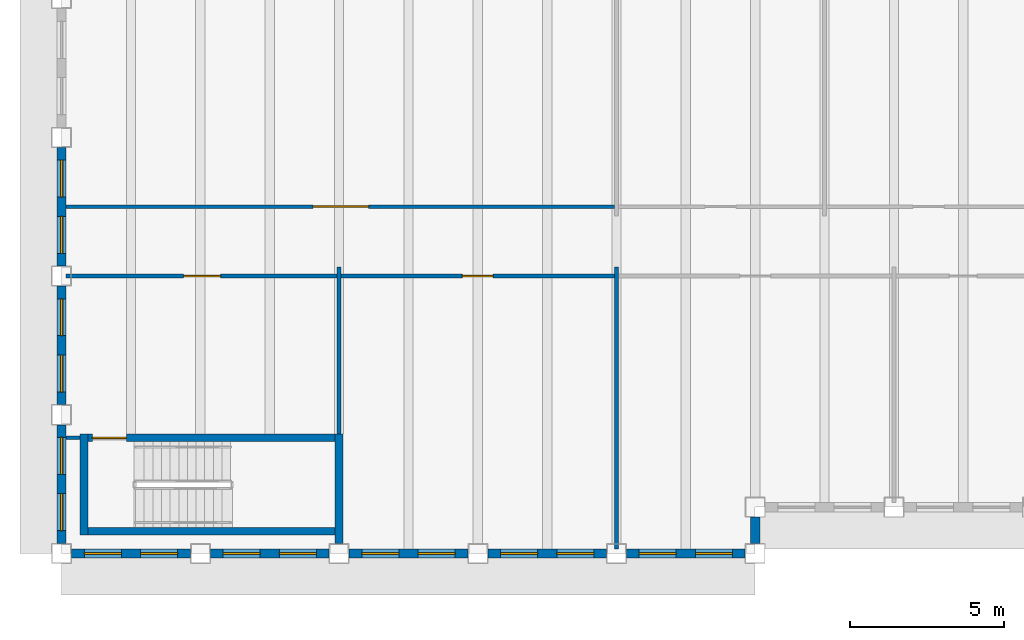
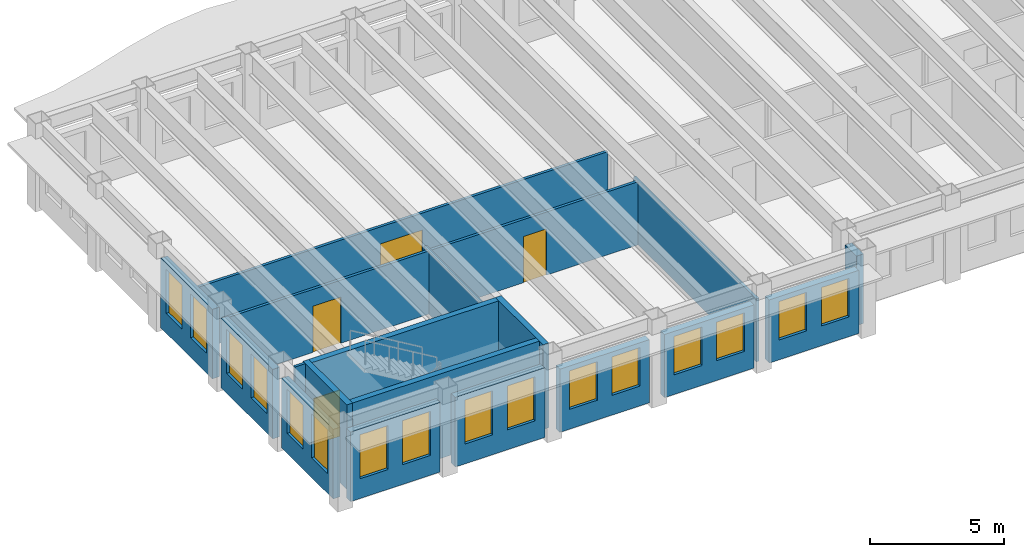
# One storey, part 2 of 12: 19 walls, 16 windows, 4 doors, 20 openings.
"""IFC4 building model written with IfcOpenShell, lengths in metres."""

import ifcopenshell
import ifcopenshell.guid

model = None  # the IFC model being written
_history = None  # IfcOwnerHistory: only IFC2X3 demands one
_inside = {}  # id of a spatial element -> (the spatial element, [elements in it])
_under = {}  # id of a project, library or spatial element -> (it, [spatial elements below it])
_declared = {}  # id of a project -> (the project, [libraries it declares])
_typed = {}  # id of a type object -> (the type object, [elements of that type])
_made_of = {}  # id of a material, layer set ... -> (it, [elements and type objects made of it])


def new_model(schema):
    """Start an empty IFC model of exactly this schema.

    Asked for "IFC4X3", IfcOpenShell would pick the latest addendum, in which some entities
    have other attributes; the version numbers below select the first issue.
    IFC2X3 requires an IfcOwnerHistory on every rooted entity: one is made here for all.
    """
    global model, _history
    if schema == "IFC4X3":
        model = ifcopenshell.file(schema_version=(4, 3, 0, 0))
    else:
        model = ifcopenshell.file(schema=schema)
    _inside.clear()
    _under.clear()
    _declared.clear()
    _typed.clear()
    _made_of.clear()
    _history = None
    if model.schema == "IFC2X3":
        org = make("IfcOrganization", Name="unknown")
        user = make(
            "IfcPersonAndOrganization",
            ThePerson=make("IfcPerson", FamilyName="unknown"),
            TheOrganization=org,
        )
        app = make(
            "IfcApplication",
            ApplicationDeveloper=org,
            Version="unknown",
            ApplicationFullName="unknown",
            ApplicationIdentifier="unknown",
        )
        _history = make(
            "IfcOwnerHistory",
            OwningUser=user,
            OwningApplication=app,
            ChangeAction="ADDED",
            CreationDate=0,
        )
    return model


def make(cls, **values):
    """One entity of the class cls with the attributes given. An attribute that is None is left unset."""
    return model.create_entity(
        cls, **{name: value for name, value in values.items() if value is not None}
    )


def rooted(cls, **values):
    """An entity with a GlobalId (a new one), such as an element, a storey or a relation."""
    return make(cls, GlobalId=ifcopenshell.guid.new(), OwnerHistory=_history, **values)


def si_unit(unit_type, name, prefix=None):
    """IfcSIUnit, for example si_unit("LENGTHUNIT", "METRE", prefix="MILLI")."""
    return make("IfcSIUnit", UnitType=unit_type, Prefix=prefix, Name=name)


def assignment(units):
    """IfcUnitAssignment: the units of a project."""
    return None if units is None else make("IfcUnitAssignment", Units=units)


def point(xyz):
    """IfcCartesianPoint."""
    return None if xyz is None else make("IfcCartesianPoint", Coordinates=xyz)


def direction(xyz):
    """IfcDirection."""
    return None if xyz is None else make("IfcDirection", DirectionRatios=xyz)


def frame(location, z_axis=None, x_axis=None):
    """IfcAxis2Placement3D, a coordinate frame: its origin and axes. An axis left out is left unset."""
    return make(
        "IfcAxis2Placement3D",
        Location=point(location),
        Axis=direction(z_axis),
        RefDirection=direction(x_axis),
    )


def frame_2d(location, x_axis=None):
    """IfcAxis2Placement2D, a coordinate frame in the plane: its origin and x axis."""
    return make(
        "IfcAxis2Placement2D", Location=point(location), RefDirection=direction(x_axis)
    )


def origin():
    """The frame at (0, 0, 0) with its axes left unset."""
    return frame((0.0, 0.0, 0.0))


def place(relative_to, where):
    """IfcLocalPlacement: puts the frame where relative to a parent placement (None: the world)."""
    return make(
        "IfcLocalPlacement", PlacementRelTo=relative_to, RelativePlacement=where
    )


def context(
    kind, dimensions, precision=None, world=None, true_north=None, identifier=None
):
    """IfcGeometricRepresentationContext, for example the 3D "Model" context."""
    return make(
        "IfcGeometricRepresentationContext",
        ContextIdentifier=identifier,
        ContextType=kind,
        CoordinateSpaceDimension=dimensions,
        Precision=precision,
        WorldCoordinateSystem=world,
        TrueNorth=true_north,
    )


def subcontext(parent, identifier, kind, view, scale=None):
    """IfcGeometricRepresentationSubContext, for example "Body" below "Model"."""
    return make(
        "IfcGeometricRepresentationSubContext",
        ContextIdentifier=identifier,
        ContextType=kind,
        ParentContext=parent,
        TargetScale=scale,
        TargetView=view,
    )


def project(units=None, contexts=None):
    """IfcProject with its units and contexts."""
    return rooted(
        "IfcProject",
        Name="project",
        RepresentationContexts=contexts,
        UnitsInContext=assignment(units),
    )


def spatial(cls, under=None, at=None, **own):
    """A site, building, storey or space (cls), placed at a placement, below another one or the project."""
    s = rooted(cls, ObjectPlacement=at, **own)
    if under is not None:
        _under.setdefault(under.id(), (under, []))[1].append(s)
    return s


def profile(cls, at=None, kind="AREA", **sizes):
    """A parametric profile (cls). Its sizes go by their IFC names, for example OverallWidth=200.0."""
    return make(cls, ProfileType=kind, Position=at, **sizes)


def rectangle(**sizes):
    """IfcRectangleProfileDef."""
    return profile("IfcRectangleProfileDef", **sizes)


def extrude(swept, where, along, depth):
    """IfcExtrudedAreaSolid: the profile swept, set in the frame where, extruded along a direction by depth."""
    return make(
        "IfcExtrudedAreaSolid",
        SweptArea=swept,
        Position=where,
        ExtrudedDirection=direction(along),
        Depth=depth,
    )


def shape(context_of_items, identifier, shape_type, items):
    """IfcShapeRepresentation: the items that make up one representation, for example the "Body"."""
    return make(
        "IfcShapeRepresentation",
        ContextOfItems=context_of_items,
        RepresentationIdentifier=identifier,
        RepresentationType=shape_type,
        Items=items,
    )


def material(Name=None, Category=None):
    """IfcMaterial."""
    return make("IfcMaterial", Name=Name, Category=Category)


def layer(
    of_material, thickness, ventilated=None, Name=None, Category=None, Priority=None
):
    """IfcMaterialLayer: one layer of a wall or slab, of a material (None: an air gap)."""
    return make(
        "IfcMaterialLayer",
        Material=of_material,
        LayerThickness=thickness,
        IsVentilated=ventilated,
        Name=Name,
        Category=Category,
        Priority=Priority,
    )


def layer_set(layers, Name=None):
    """IfcMaterialLayerSet."""
    return make("IfcMaterialLayerSet", MaterialLayers=layers, LayerSetName=Name)


def made_of(thing, what):
    """Note that an element or type object is made of a material, layer set ...; save() writes the relation."""
    if what is not None:
        _made_of.setdefault(what.id(), (what, []))[1].append(thing)
    return thing


def type_object(cls, material=None, **own):
    """A type object (cls), such as IfcWallType, which elements share."""
    return made_of(rooted(cls, **own), material)


def element(
    cls,
    number,
    at=None,
    inside=None,
    cuts=None,
    type_object=None,
    material=None,
    context=None,
    identifier="Body",
    shape_type=None,
    held_by="IfcProductDefinitionShape",
    body=None,
    shapes=None,
    **own,
):
    """One element of the class cls, such as IfcWall. Its Tag is "e" and its number.

    at: its placement. inside: the storey or other place that contains it. cuts: it is an
    opening in that element (IfcRelVoidsElement). A single representation is given by context,
    identifier, shape_type and body (its items); several are given by shapes. held_by: the class
    of the entity that holds the representations. save() writes the other relations.
    """
    e = rooted(cls, Tag="e%d" % number, ObjectPlacement=at, **own)
    if body is not None:
        shapes = [shape(context, identifier, shape_type, body)]
    if shapes is not None:
        e.Representation = make(held_by, Representations=shapes)
    if inside is not None:
        _inside.setdefault(inside.id(), (inside, []))[1].append(e)
    if cuts is not None:
        rooted(
            "IfcRelVoidsElement", RelatingBuildingElement=cuts, RelatedOpeningElement=e
        )
    if type_object is not None:
        _typed.setdefault(type_object.id(), (type_object, []))[1].append(e)
    return made_of(e, material)


def fill(opening, filler):
    """IfcRelFillsElement: the door or window that sits in an opening."""
    return rooted(
        "IfcRelFillsElement",
        RelatingOpeningElement=opening,
        RelatedBuildingElement=filler,
    )


def aggregate(whole, parts):
    """IfcRelAggregates: a whole, such as a stair, and the parts it consists of."""
    return rooted("IfcRelAggregates", RelatingObject=whole, RelatedObjects=parts)


def save(model, path):
    """Write the relations noted so far, then the file.

    IfcRelAggregates (storeys below a building ...), IfcRelContainedInSpatialStructure (elements
    in a storey), IfcRelDefinesByType, IfcRelAssociatesMaterial and IfcRelDeclares: one each for
    every whole, place, type object, material and project.
    """
    for whole, parts in _under.values():
        aggregate(whole, parts)
    for where, things in _inside.values():
        rooted(
            "IfcRelContainedInSpatialStructure",
            RelatedElements=things,
            RelatingStructure=where,
        )
    for kind, things in _typed.values():
        rooted("IfcRelDefinesByType", RelatedObjects=things, RelatingType=kind)
    for what, things in _made_of.values():
        rooted("IfcRelAssociatesMaterial", RelatedObjects=things, RelatingMaterial=what)
    for by, libraries in _declared.values():
        rooted("IfcRelDeclares", RelatingContext=by, RelatedDefinitions=libraries)
    model.write(path)


model = new_model("IFC4")

# Units and contexts
model_context = context("Model", 3, precision=1e-05, world=origin(), true_north=direction((0.0, 1.0)))
body_context = subcontext(model_context, "Body", "Model", "MODEL_VIEW")
ifc_project = project(units=[si_unit("LENGTHUNIT", "METRE"), si_unit("AREAUNIT", "SQUARE_METRE"), si_unit("VOLUMEUNIT", "CUBIC_METRE"), si_unit("PLANEANGLEUNIT", "RADIAN"), si_unit("MASSUNIT", "GRAM", prefix="KILO")], contexts=[model_context])

# Site, building, storey
site_placement = place(None, origin())
site = spatial("IfcSite", under=ifc_project, at=site_placement, CompositionType="ELEMENT")
building_placement = place(site_placement, origin())
building = spatial("IfcBuilding", under=site, at=building_placement, Name="Sennacour Bend Tower", CompositionType="ELEMENT")
storey_placement = place(building_placement, frame((0.0, 0.0, 253.0)))
storey = spatial("IfcBuildingStorey", under=building, at=storey_placement, Name="L58", CompositionType="ELEMENT", Elevation=253.0)

# Walls
ifc_material_1 = material(Name="Plasterboard partition on steel studs", Category="steel")
ifc_layer_1 = layer(ifc_material_1, 0.1201171875, Name="Plasterboard partition on steel studs", Category="steel")
ifc_layer_set_1 = layer_set([ifc_layer_1], Name="Plasterboard partition on steel studs")
wall_type_1 = type_object("IfcWallType", Name="Partition 120", PredefinedType="PARTITIONING", material=ifc_layer_set_1)
wall_1_placement = place(storey_placement, frame((9.0, 3.875, 0.0), z_axis=(0.0, 0.0, 1.0), x_axis=(0.0, 1.0, 0.0)))
element("IfcWall", 1, at=wall_1_placement, inside=storey, type_object=wall_type_1, Name="P-L58-W005a", PredefinedType="PARTITIONING", context=body_context, shape_type="SweptSolid", body=[
    extrude(rectangle(XDim=5.425048828125, YDim=0.1201171875, at=frame_2d((2.71240234375, 0.0))), origin(), (0.0, 0.0, 1.0), 2.8701171875),
])
wall_2_placement = place(storey_placement, frame((18.0, 0.14990234375, 0.0), z_axis=(0.0, 0.0, 1.0), x_axis=(0.0, 1.0, 0.0)))
element("IfcWall", 2, at=wall_2_placement, inside=storey, type_object=wall_type_1, Name="P-L58-W006a", PredefinedType="PARTITIONING", context=body_context, shape_type="SweptSolid", body=[
    extrude(rectangle(XDim=9.150146484375, YDim=0.1201171875, at=frame_2d((4.5751953125, 0.0))), origin(), (0.0, 0.0, 1.0), 2.8701171875),
])
wall_3_placement = place(storey_placement, frame((0.14990234375, 3.75, 0.0), z_axis=(0.0, 0.0, 1.0), x_axis=(1.0, 0.0, 0.0)))
element("IfcWall", 3, at=wall_3_placement, inside=storey, type_object=wall_type_1, Name="P-L58-W036a", PredefinedType="PARTITIONING", context=body_context, shape_type="SweptSolid", body=[
    extrude(rectangle(XDim=0.4501953125, YDim=0.1201171875, at=frame_2d((0.22509765625, 0.0))), origin(), (0.0, 0.0, 1.0), 3.85009765625),
])

# Wall, opening, door
wall_4_placement = place(storey_placement, frame((9.06005859375, 9.0, 0.0), z_axis=(0.0, 0.0, 1.0), x_axis=(1.0, 0.0, 0.0)))
wall_4 = element("IfcWall", 4, at=wall_4_placement, inside=storey, type_object=wall_type_1, Name="P-L58-W043ab", PredefinedType="PARTITIONING", context=body_context, shape_type="SweptSolid", body=[
    extrude(rectangle(XDim=8.8798828125, YDim=0.1201171875, at=frame_2d((4.43994140625, 0.0))), origin(), (0.0, 0.0, 1.0), 2.8701171875),
])
opening_1_placement = place(wall_4_placement, frame((3.93994140625, 0.0, 0.0)))
opening_1 = element("IfcOpeningElement", 5, at=opening_1_placement, cuts=wall_4, Name="Opening OD2", PredefinedType="OPENING", context=body_context, shape_type="SweptSolid", body=[
    extrude(rectangle(XDim=1.0, YDim=2.10009765625, at=frame_2d((0.5, 1.050048828125))), frame((0.0, 0.070068359375, 0.0), z_axis=(0.0, -1.0, 0.0), x_axis=(1.0, 0.0, 0.0)), (0.0, 0.0, 1.0), 0.14013671875),
])
ifc_material_2 = material(Name="Timber", Category="wood")
door_type_1 = type_object("IfcDoorType", Name="DR-OFFICE-1000", OperationType="NOTDEFINED", PredefinedType="DOOR", material=ifc_material_2)
door_1_placement = place(opening_1_placement, origin())
door_1 = element("IfcDoor", 6, at=door_1_placement, inside=storey, type_object=door_type_1, Name="Door", OperationType="SINGLE_SWING_LEFT", OverallHeight=2.10009765625, OverallWidth=1.0, PredefinedType="DOOR", context=body_context, shape_type="SweptSolid", body=[
    extrude(rectangle(XDim=1.0, YDim=2.10009765625, at=frame_2d((0.5, 1.050048828125))), frame((0.0, 0.02490234375, 0.0), z_axis=(0.0, -1.0, 0.0), x_axis=(1.0, 0.0, 0.0)), (0.0, 0.0, 1.0), 0.050048828125),
])
fill(opening_1, door_1)

wall_5_placement = place(storey_placement, frame((0.14990234375, 11.25, 0.0), z_axis=(0.0, 0.0, 1.0), x_axis=(1.0, 0.0, 0.0)))
wall_5 = element("IfcWall", 7, at=wall_5_placement, inside=storey, type_object=wall_type_1, Name="P-L58-W046aa", PredefinedType="PARTITIONING", context=body_context, shape_type="SweptSolid", body=[
    extrude(rectangle(XDim=17.7900390625, YDim=0.1201171875, at=frame_2d((8.89501953125, 0.0))), origin(), (0.0, 0.0, 1.0), 2.8701171875),
])
opening_2_placement = place(wall_5_placement, frame((8.005126953125, 0.0, 0.0)))
opening_2 = element("IfcOpeningElement", 8, at=opening_2_placement, cuts=wall_5, Name="Opening OD3", PredefinedType="OPENING", context=body_context, shape_type="SweptSolid", body=[
    extrude(rectangle(XDim=1.800048828125, YDim=2.10009765625, at=frame_2d((0.89990234375, 1.050048828125))), frame((0.0, 0.070068359375, 0.0), z_axis=(0.0, -1.0, 0.0), x_axis=(1.0, 0.0, 0.0)), (0.0, 0.0, 1.0), 0.14013671875),
])
door_type_2 = type_object("IfcDoorType", Name="DR-OFFICE-1800", OperationType="NOTDEFINED", PredefinedType="DOOR", material=ifc_material_2)
door_2_placement = place(opening_2_placement, origin())
door_2 = element("IfcDoor", 9, at=door_2_placement, inside=storey, type_object=door_type_2, Name="Door", OperationType="DOUBLE_DOOR_SINGLE_SWING", OverallHeight=2.10009765625, OverallWidth=1.800048828125, PredefinedType="DOOR", context=body_context, shape_type="SweptSolid", body=[
    extrude(rectangle(XDim=1.800048828125, YDim=2.10009765625, at=frame_2d((0.89990234375, 1.050048828125))), frame((0.0, 0.02490234375, 0.0), z_axis=(0.0, -1.0, 0.0), x_axis=(1.0, 0.0, 0.0)), (0.0, 0.0, 1.0), 0.050048828125),
])
fill(opening_2, door_2)

ifc_layer_2 = layer(ifc_material_1, 0.1201171875, Name="Plasterboard partition on steel studs", Category="steel")
ifc_layer_set_2 = layer_set([ifc_layer_2], Name="Plasterboard partition on steel studs")
wall_type_2 = type_object("IfcWallType", Name="Partition 120 EI 30", PredefinedType="PARTITIONING", material=ifc_layer_set_2)
wall_6_placement = place(storey_placement, frame((0.14990234375, 9.0, 0.0), z_axis=(0.0, 0.0, 1.0), x_axis=(1.0, 0.0, 0.0)))
wall_6 = element("IfcWall", 10, at=wall_6_placement, inside=storey, type_object=wall_type_2, Name="P-L58-W043aa", PredefinedType="PARTITIONING", context=body_context, shape_type="SweptSolid", body=[
    extrude(rectangle(XDim=8.7900390625, YDim=0.1201171875, at=frame_2d((4.39501953125, 0.0))), origin(), (0.0, 0.0, 1.0), 2.8701171875),
])
opening_3_placement = place(wall_6_placement, frame((3.80517578125, 0.0, 0.0)))
opening_3 = element("IfcOpeningElement", 11, at=opening_3_placement, cuts=wall_6, Name="Opening KD2", PredefinedType="OPENING", context=body_context, shape_type="SweptSolid", body=[
    extrude(rectangle(XDim=1.199951171875, YDim=2.10009765625, at=frame_2d((0.60009765625, 1.050048828125))), frame((0.0, 0.070068359375, 0.0), z_axis=(0.0, -1.0, 0.0), x_axis=(1.0, 0.0, 0.0)), (0.0, 0.0, 1.0), 0.14013671875),
])
ifc_material_3 = material(Name="Painted steel", Category="steel")
door_type_3 = type_object("IfcDoorType", Name="DR-CORRIDOR-1200", OperationType="NOTDEFINED", PredefinedType="DOOR", material=ifc_material_3)
door_3_placement = place(opening_3_placement, origin())
door_3 = element("IfcDoor", 12, at=door_3_placement, inside=storey, type_object=door_type_3, Name="Door", OperationType="SINGLE_SWING_RIGHT", OverallHeight=2.10009765625, OverallWidth=1.199951171875, PredefinedType="DOOR", context=body_context, shape_type="SweptSolid", body=[
    extrude(rectangle(XDim=1.199951171875, YDim=2.10009765625, at=frame_2d((0.60009765625, 1.050048828125))), frame((0.0, 0.02490234375, 0.0), z_axis=(0.0, -1.0, 0.0), x_axis=(1.0, 0.0, 0.0)), (0.0, 0.0, 1.0), 0.050048828125),
])
fill(opening_3, door_3)

# Wall
ifc_material_4 = material(Name="Warm limestone cladding", Category="masonry")
ifc_layer_3 = layer(ifc_material_4, 0.050048828125, Name="Warm limestone cladding", Category="masonry")
ifc_material_5 = material(Name="Precast concrete C40/50", Category="concrete")
ifc_layer_4 = layer(ifc_material_5, 0.25, Name="Precast concrete C40/50", Category="concrete")
ifc_layer_set_3 = layer_set([ifc_layer_3, ifc_layer_4], Name="Precast concrete C40/50 with limestone cladding")
wall_type_3 = type_object("IfcWallType", Name="STONE-CLAD PRECAST SPANDREL 300", PredefinedType="STANDARD", material=ifc_layer_set_3)
wall_7_placement = place(storey_placement, frame((22.5, 0.324951171875, 0.0), z_axis=(0.0, 0.0, 1.0), x_axis=(0.0, 1.0, 0.0)))
element("IfcWall", 13, at=wall_7_placement, inside=storey, type_object=wall_type_3, Name="Stone spandrel and pier wall L58 00.00", PredefinedType="STANDARD", context=body_context, shape_type="SweptSolid", body=[
    extrude(rectangle(XDim=0.85009765625, YDim=0.300048828125, at=frame_2d((0.425048828125, 0.0))), origin(), (0.0, 0.0, 1.0), 3.162109375),
])

# Wall, openings, windows
wall_8_placement = place(storey_placement, frame((0.0, 13.175048828125, 0.0), z_axis=(0.0, 0.0, 1.0), x_axis=(0.0, -1.0, 0.0)))
wall_8 = element("IfcWall", 14, at=wall_8_placement, inside=storey, type_object=wall_type_3, Name="Stone spandrel and pier wall L58 10.02", PredefinedType="STANDARD", context=body_context, shape_type="SweptSolid", body=[
    extrude(rectangle(XDim=3.85009765625, YDim=0.300048828125, at=frame_2d((1.925048828125, 0.0))), origin(), (0.0, 0.0, 1.0), 3.162109375),
])
opening_4_placement = place(wall_8_placement, frame((0.41259765625, 0.0, 0.89990234375)))
opening_4 = element("IfcOpeningElement", 15, at=opening_4_placement, cuts=wall_8, Name="Opening W14", PredefinedType="OPENING", context=body_context, shape_type="SweptSolid", body=[
    extrude(rectangle(XDim=1.199951171875, YDim=2.0, at=frame_2d((0.60009765625, 1.0))), frame((0.0, 0.16015625, 0.0), z_axis=(0.0, -1.0, 0.0), x_axis=(1.0, 0.0, 0.0)), (0.0, 0.0, 1.0), 0.320068359375),
])
opening_5_placement = place(wall_8_placement, frame((2.237548828125, 0.0, 0.89990234375)))
opening_5 = element("IfcOpeningElement", 16, at=opening_5_placement, cuts=wall_8, Name="Opening W14", PredefinedType="OPENING", context=body_context, shape_type="SweptSolid", body=[
    extrude(rectangle(XDim=1.199951171875, YDim=2.0, at=frame_2d((0.60009765625, 1.0))), frame((0.0, 0.16015625, 0.0), z_axis=(0.0, -1.0, 0.0), x_axis=(1.0, 0.0, 0.0)), (0.0, 0.0, 1.0), 0.320068359375),
])
ifc_material_6 = material(Name="Clear low-emissivity glass", Category="glass")
window_type_1 = type_object("IfcWindowType", Name="WIN-RIBBON-1200x2000", PartitioningType="SINGLE_PANEL", PredefinedType="WINDOW", material=ifc_material_6)
window_1_placement = place(opening_4_placement, origin())
window_1 = element("IfcWindow", 17, at=window_1_placement, inside=storey, type_object=window_type_1, Name="Ribbon window L58 10.02.0", OverallHeight=2.0, OverallWidth=1.199951171875, PartitioningType="SINGLE_PANEL", PredefinedType="WINDOW", context=body_context, shape_type="SweptSolid", body=[
    extrude(rectangle(XDim=1.199951171875, YDim=2.0, at=frame_2d((0.60009765625, 1.0))), frame((0.0, 0.030029296875, 0.0), z_axis=(0.0, -1.0, 0.0), x_axis=(1.0, 0.0, 0.0)), (0.0, 0.0, 1.0), 0.06005859375),
])
fill(opening_4, window_1)
window_2_placement = place(opening_5_placement, origin())
window_2 = element("IfcWindow", 18, at=window_2_placement, inside=storey, type_object=window_type_1, Name="Ribbon window L58 10.02.1", OverallHeight=2.0, OverallWidth=1.199951171875, PartitioningType="SINGLE_PANEL", PredefinedType="WINDOW", context=body_context, shape_type="SweptSolid", body=[
    extrude(rectangle(XDim=1.199951171875, YDim=2.0, at=frame_2d((0.60009765625, 1.0))), frame((0.0, 0.030029296875, 0.0), z_axis=(0.0, -1.0, 0.0), x_axis=(1.0, 0.0, 0.0)), (0.0, 0.0, 1.0), 0.06005859375),
])
fill(opening_5, window_2)

wall_9_placement = place(storey_placement, frame((0.0, 8.675048828125, 0.0), z_axis=(0.0, 0.0, 1.0), x_axis=(0.0, -1.0, 0.0)))
wall_9 = element("IfcWall", 19, at=wall_9_placement, inside=storey, type_object=wall_type_3, Name="Stone spandrel and pier wall L58 10.03", PredefinedType="STANDARD", context=body_context, shape_type="SweptSolid", body=[
    extrude(rectangle(XDim=3.85009765625, YDim=0.300048828125, at=frame_2d((1.925048828125, 0.0))), origin(), (0.0, 0.0, 1.0), 3.162109375),
])
opening_6_placement = place(wall_9_placement, frame((0.41259765625, 0.0, 0.89990234375)))
opening_6 = element("IfcOpeningElement", 20, at=opening_6_placement, cuts=wall_9, Name="Opening W14", PredefinedType="OPENING", context=body_context, shape_type="SweptSolid", body=[
    extrude(rectangle(XDim=1.199951171875, YDim=2.0, at=frame_2d((0.60009765625, 1.0))), frame((0.0, 0.16015625, 0.0), z_axis=(0.0, -1.0, 0.0), x_axis=(1.0, 0.0, 0.0)), (0.0, 0.0, 1.0), 0.320068359375),
])
opening_7_placement = place(wall_9_placement, frame((2.237548828125, 0.0, 0.89990234375)))
opening_7 = element("IfcOpeningElement", 21, at=opening_7_placement, cuts=wall_9, Name="Opening W14", PredefinedType="OPENING", context=body_context, shape_type="SweptSolid", body=[
    extrude(rectangle(XDim=1.199951171875, YDim=2.0, at=frame_2d((0.60009765625, 1.0))), frame((0.0, 0.16015625, 0.0), z_axis=(0.0, -1.0, 0.0), x_axis=(1.0, 0.0, 0.0)), (0.0, 0.0, 1.0), 0.320068359375),
])
window_3_placement = place(opening_6_placement, origin())
window_3 = element("IfcWindow", 22, at=window_3_placement, inside=storey, type_object=window_type_1, Name="Ribbon window L58 10.03.0", OverallHeight=2.0, OverallWidth=1.199951171875, PartitioningType="SINGLE_PANEL", PredefinedType="WINDOW", context=body_context, shape_type="SweptSolid", body=[
    extrude(rectangle(XDim=1.199951171875, YDim=2.0, at=frame_2d((0.60009765625, 1.0))), frame((0.0, 0.030029296875, 0.0), z_axis=(0.0, -1.0, 0.0), x_axis=(1.0, 0.0, 0.0)), (0.0, 0.0, 1.0), 0.06005859375),
])
fill(opening_6, window_3)
window_4_placement = place(opening_7_placement, origin())
window_4 = element("IfcWindow", 23, at=window_4_placement, inside=storey, type_object=window_type_1, Name="Ribbon window L58 10.03.1", OverallHeight=2.0, OverallWidth=1.199951171875, PartitioningType="SINGLE_PANEL", PredefinedType="WINDOW", context=body_context, shape_type="SweptSolid", body=[
    extrude(rectangle(XDim=1.199951171875, YDim=2.0, at=frame_2d((0.60009765625, 1.0))), frame((0.0, 0.030029296875, 0.0), z_axis=(0.0, -1.0, 0.0), x_axis=(1.0, 0.0, 0.0)), (0.0, 0.0, 1.0), 0.06005859375),
])
fill(opening_7, window_4)

wall_10_placement = place(storey_placement, frame((0.0, 4.175048828125, 0.0), z_axis=(0.0, 0.0, 1.0), x_axis=(0.0, -1.0, 0.0)))
wall_10 = element("IfcWall", 24, at=wall_10_placement, inside=storey, type_object=wall_type_3, Name="Stone spandrel and pier wall L58 10.04", PredefinedType="STANDARD", context=body_context, shape_type="SweptSolid", body=[
    extrude(rectangle(XDim=3.85009765625, YDim=0.300048828125, at=frame_2d((1.925048828125, 0.0))), origin(), (0.0, 0.0, 1.0), 3.162109375),
])
opening_8_placement = place(wall_10_placement, frame((0.41259765625, 0.0, 0.89990234375)))
opening_8 = element("IfcOpeningElement", 25, at=opening_8_placement, cuts=wall_10, Name="Opening W14", PredefinedType="OPENING", context=body_context, shape_type="SweptSolid", body=[
    extrude(rectangle(XDim=1.199951171875, YDim=2.0, at=frame_2d((0.60009765625, 1.0))), frame((0.0, 0.16015625, 0.0), z_axis=(0.0, -1.0, 0.0), x_axis=(1.0, 0.0, 0.0)), (0.0, 0.0, 1.0), 0.320068359375),
])
opening_9_placement = place(wall_10_placement, frame((2.237548828125, 0.0, 0.89990234375)))
opening_9 = element("IfcOpeningElement", 26, at=opening_9_placement, cuts=wall_10, Name="Opening W14", PredefinedType="OPENING", context=body_context, shape_type="SweptSolid", body=[
    extrude(rectangle(XDim=1.199951171875, YDim=2.0, at=frame_2d((0.60009765625, 1.0))), frame((0.0, 0.16015625, 0.0), z_axis=(0.0, -1.0, 0.0), x_axis=(1.0, 0.0, 0.0)), (0.0, 0.0, 1.0), 0.320068359375),
])
window_5_placement = place(opening_8_placement, origin())
window_5 = element("IfcWindow", 27, at=window_5_placement, inside=storey, type_object=window_type_1, Name="Ribbon window L58 10.04.0", OverallHeight=2.0, OverallWidth=1.199951171875, PartitioningType="SINGLE_PANEL", PredefinedType="WINDOW", context=body_context, shape_type="SweptSolid", body=[
    extrude(rectangle(XDim=1.199951171875, YDim=2.0, at=frame_2d((0.60009765625, 1.0))), frame((0.0, 0.030029296875, 0.0), z_axis=(0.0, -1.0, 0.0), x_axis=(1.0, 0.0, 0.0)), (0.0, 0.0, 1.0), 0.06005859375),
])
fill(opening_8, window_5)
window_6_placement = place(opening_9_placement, origin())
window_6 = element("IfcWindow", 28, at=window_6_placement, inside=storey, type_object=window_type_1, Name="Ribbon window L58 10.04.1", OverallHeight=2.0, OverallWidth=1.199951171875, PartitioningType="SINGLE_PANEL", PredefinedType="WINDOW", context=body_context, shape_type="SweptSolid", body=[
    extrude(rectangle(XDim=1.199951171875, YDim=2.0, at=frame_2d((0.60009765625, 1.0))), frame((0.0, 0.030029296875, 0.0), z_axis=(0.0, -1.0, 0.0), x_axis=(1.0, 0.0, 0.0)), (0.0, 0.0, 1.0), 0.06005859375),
])
fill(opening_9, window_6)

wall_11_placement = place(storey_placement, frame((0.324951171875, 0.0, 0.0), z_axis=(0.0, 0.0, 1.0), x_axis=(1.0, 0.0, 0.0)))
wall_11 = element("IfcWall", 29, at=wall_11_placement, inside=storey, type_object=wall_type_3, Name="Stone spandrel and pier wall L58 11.00", PredefinedType="STANDARD", context=body_context, shape_type="SweptSolid", body=[
    extrude(rectangle(XDim=3.85009765625, YDim=0.300048828125, at=frame_2d((1.925048828125, 0.0))), origin(), (0.0, 0.0, 1.0), 3.162109375),
])
opening_10_placement = place(wall_11_placement, frame((0.41259765625, 0.0, 0.89990234375)))
opening_10 = element("IfcOpeningElement", 30, at=opening_10_placement, cuts=wall_11, Name="Opening W14", PredefinedType="OPENING", context=body_context, shape_type="SweptSolid", body=[
    extrude(rectangle(XDim=1.199951171875, YDim=2.0, at=frame_2d((0.60009765625, 1.0))), frame((0.0, 0.16015625, 0.0), z_axis=(0.0, -1.0, 0.0), x_axis=(1.0, 0.0, 0.0)), (0.0, 0.0, 1.0), 0.320068359375),
])
opening_11_placement = place(wall_11_placement, frame((2.237548828125, 0.0, 0.89990234375)))
opening_11 = element("IfcOpeningElement", 31, at=opening_11_placement, cuts=wall_11, Name="Opening W14", PredefinedType="OPENING", context=body_context, shape_type="SweptSolid", body=[
    extrude(rectangle(XDim=1.199951171875, YDim=2.0, at=frame_2d((0.60009765625, 1.0))), frame((0.0, 0.16015625, 0.0), z_axis=(0.0, -1.0, 0.0), x_axis=(1.0, 0.0, 0.0)), (0.0, 0.0, 1.0), 0.320068359375),
])
window_7_placement = place(opening_10_placement, origin())
window_7 = element("IfcWindow", 32, at=window_7_placement, inside=storey, type_object=window_type_1, Name="Ribbon window L58 11.00.0", OverallHeight=2.0, OverallWidth=1.199951171875, PartitioningType="SINGLE_PANEL", PredefinedType="WINDOW", context=body_context, shape_type="SweptSolid", body=[
    extrude(rectangle(XDim=1.199951171875, YDim=2.0, at=frame_2d((0.60009765625, 1.0))), frame((0.0, 0.030029296875, 0.0), z_axis=(0.0, -1.0, 0.0), x_axis=(1.0, 0.0, 0.0)), (0.0, 0.0, 1.0), 0.06005859375),
])
fill(opening_10, window_7)
window_8_placement = place(opening_11_placement, origin())
window_8 = element("IfcWindow", 33, at=window_8_placement, inside=storey, type_object=window_type_1, Name="Ribbon window L58 11.00.1", OverallHeight=2.0, OverallWidth=1.199951171875, PartitioningType="SINGLE_PANEL", PredefinedType="WINDOW", context=body_context, shape_type="SweptSolid", body=[
    extrude(rectangle(XDim=1.199951171875, YDim=2.0, at=frame_2d((0.60009765625, 1.0))), frame((0.0, 0.030029296875, 0.0), z_axis=(0.0, -1.0, 0.0), x_axis=(1.0, 0.0, 0.0)), (0.0, 0.0, 1.0), 0.06005859375),
])
fill(opening_11, window_8)

wall_12_placement = place(storey_placement, frame((4.824951171875, 0.0, 0.0), z_axis=(0.0, 0.0, 1.0), x_axis=(1.0, 0.0, 0.0)))
wall_12 = element("IfcWall", 34, at=wall_12_placement, inside=storey, type_object=wall_type_3, Name="Stone spandrel and pier wall L58 11.01", PredefinedType="STANDARD", context=body_context, shape_type="SweptSolid", body=[
    extrude(rectangle(XDim=3.85009765625, YDim=0.300048828125, at=frame_2d((1.925048828125, 0.0))), origin(), (0.0, 0.0, 1.0), 3.162109375),
])
opening_12_placement = place(wall_12_placement, frame((0.41259765625, 0.0, 0.89990234375)))
opening_12 = element("IfcOpeningElement", 35, at=opening_12_placement, cuts=wall_12, Name="Opening W14", PredefinedType="OPENING", context=body_context, shape_type="SweptSolid", body=[
    extrude(rectangle(XDim=1.199951171875, YDim=2.0, at=frame_2d((0.60009765625, 1.0))), frame((0.0, 0.16015625, 0.0), z_axis=(0.0, -1.0, 0.0), x_axis=(1.0, 0.0, 0.0)), (0.0, 0.0, 1.0), 0.320068359375),
])
opening_13_placement = place(wall_12_placement, frame((2.237548828125, 0.0, 0.89990234375)))
opening_13 = element("IfcOpeningElement", 36, at=opening_13_placement, cuts=wall_12, Name="Opening W14", PredefinedType="OPENING", context=body_context, shape_type="SweptSolid", body=[
    extrude(rectangle(XDim=1.199951171875, YDim=2.0, at=frame_2d((0.60009765625, 1.0))), frame((0.0, 0.16015625, 0.0), z_axis=(0.0, -1.0, 0.0), x_axis=(1.0, 0.0, 0.0)), (0.0, 0.0, 1.0), 0.320068359375),
])
window_9_placement = place(opening_12_placement, origin())
window_9 = element("IfcWindow", 37, at=window_9_placement, inside=storey, type_object=window_type_1, Name="Ribbon window L58 11.01.0", OverallHeight=2.0, OverallWidth=1.199951171875, PartitioningType="SINGLE_PANEL", PredefinedType="WINDOW", context=body_context, shape_type="SweptSolid", body=[
    extrude(rectangle(XDim=1.199951171875, YDim=2.0, at=frame_2d((0.60009765625, 1.0))), frame((0.0, 0.030029296875, 0.0), z_axis=(0.0, -1.0, 0.0), x_axis=(1.0, 0.0, 0.0)), (0.0, 0.0, 1.0), 0.06005859375),
])
fill(opening_12, window_9)
window_10_placement = place(opening_13_placement, origin())
window_10 = element("IfcWindow", 38, at=window_10_placement, inside=storey, type_object=window_type_1, Name="Ribbon window L58 11.01.1", OverallHeight=2.0, OverallWidth=1.199951171875, PartitioningType="SINGLE_PANEL", PredefinedType="WINDOW", context=body_context, shape_type="SweptSolid", body=[
    extrude(rectangle(XDim=1.199951171875, YDim=2.0, at=frame_2d((0.60009765625, 1.0))), frame((0.0, 0.030029296875, 0.0), z_axis=(0.0, -1.0, 0.0), x_axis=(1.0, 0.0, 0.0)), (0.0, 0.0, 1.0), 0.06005859375),
])
fill(opening_13, window_10)

wall_13_placement = place(storey_placement, frame((9.324951171875, 0.0, 0.0), z_axis=(0.0, 0.0, 1.0), x_axis=(1.0, 0.0, 0.0)))
wall_13 = element("IfcWall", 39, at=wall_13_placement, inside=storey, type_object=wall_type_3, Name="Stone spandrel and pier wall L58 11.02", PredefinedType="STANDARD", context=body_context, shape_type="SweptSolid", body=[
    extrude(rectangle(XDim=3.85009765625, YDim=0.300048828125, at=frame_2d((1.925048828125, 0.0))), origin(), (0.0, 0.0, 1.0), 2.8701171875),
])
opening_14_placement = place(wall_13_placement, frame((0.41259765625, 0.0, 0.89990234375)))
opening_14 = element("IfcOpeningElement", 40, at=opening_14_placement, cuts=wall_13, Name="Opening W16", PredefinedType="OPENING", context=body_context, shape_type="SweptSolid", body=[
    extrude(rectangle(XDim=1.199951171875, YDim=1.75, at=frame_2d((0.60009765625, 0.875))), frame((0.0, 0.16015625, 0.0), z_axis=(0.0, -1.0, 0.0), x_axis=(1.0, 0.0, 0.0)), (0.0, 0.0, 1.0), 0.320068359375),
])
opening_15_placement = place(wall_13_placement, frame((2.237548828125, 0.0, 0.89990234375)))
opening_15 = element("IfcOpeningElement", 41, at=opening_15_placement, cuts=wall_13, Name="Opening W16", PredefinedType="OPENING", context=body_context, shape_type="SweptSolid", body=[
    extrude(rectangle(XDim=1.199951171875, YDim=1.75, at=frame_2d((0.60009765625, 0.875))), frame((0.0, 0.16015625, 0.0), z_axis=(0.0, -1.0, 0.0), x_axis=(1.0, 0.0, 0.0)), (0.0, 0.0, 1.0), 0.320068359375),
])
window_type_2 = type_object("IfcWindowType", Name="WIN-RIBBON-1200x1750", PartitioningType="SINGLE_PANEL", PredefinedType="WINDOW", material=ifc_material_6)
window_11_placement = place(opening_14_placement, origin())
window_11 = element("IfcWindow", 42, at=window_11_placement, inside=storey, type_object=window_type_2, Name="Ribbon window L58 11.02.0", OverallHeight=1.75, OverallWidth=1.199951171875, PartitioningType="SINGLE_PANEL", PredefinedType="WINDOW", context=body_context, shape_type="SweptSolid", body=[
    extrude(rectangle(XDim=1.199951171875, YDim=1.75, at=frame_2d((0.60009765625, 0.875))), frame((0.0, 0.030029296875, 0.0), z_axis=(0.0, -1.0, 0.0), x_axis=(1.0, 0.0, 0.0)), (0.0, 0.0, 1.0), 0.06005859375),
])
fill(opening_14, window_11)
window_12_placement = place(opening_15_placement, origin())
window_12 = element("IfcWindow", 43, at=window_12_placement, inside=storey, type_object=window_type_2, Name="Ribbon window L58 11.02.1", OverallHeight=1.75, OverallWidth=1.199951171875, PartitioningType="SINGLE_PANEL", PredefinedType="WINDOW", context=body_context, shape_type="SweptSolid", body=[
    extrude(rectangle(XDim=1.199951171875, YDim=1.75, at=frame_2d((0.60009765625, 0.875))), frame((0.0, 0.030029296875, 0.0), z_axis=(0.0, -1.0, 0.0), x_axis=(1.0, 0.0, 0.0)), (0.0, 0.0, 1.0), 0.06005859375),
])
fill(opening_15, window_12)

wall_14_placement = place(storey_placement, frame((13.824951171875, 0.0, 0.0), z_axis=(0.0, 0.0, 1.0), x_axis=(1.0, 0.0, 0.0)))
wall_14 = element("IfcWall", 44, at=wall_14_placement, inside=storey, type_object=wall_type_3, Name="Stone spandrel and pier wall L58 11.03", PredefinedType="STANDARD", context=body_context, shape_type="SweptSolid", body=[
    extrude(rectangle(XDim=3.85009765625, YDim=0.300048828125, at=frame_2d((1.925048828125, 0.0))), origin(), (0.0, 0.0, 1.0), 2.8701171875),
])
opening_16_placement = place(wall_14_placement, frame((0.41259765625, 0.0, 0.89990234375)))
opening_16 = element("IfcOpeningElement", 45, at=opening_16_placement, cuts=wall_14, Name="Opening W16", PredefinedType="OPENING", context=body_context, shape_type="SweptSolid", body=[
    extrude(rectangle(XDim=1.199951171875, YDim=1.75, at=frame_2d((0.60009765625, 0.875))), frame((0.0, 0.16015625, 0.0), z_axis=(0.0, -1.0, 0.0), x_axis=(1.0, 0.0, 0.0)), (0.0, 0.0, 1.0), 0.320068359375),
])
opening_17_placement = place(wall_14_placement, frame((2.237548828125, 0.0, 0.89990234375)))
opening_17 = element("IfcOpeningElement", 46, at=opening_17_placement, cuts=wall_14, Name="Opening W16", PredefinedType="OPENING", context=body_context, shape_type="SweptSolid", body=[
    extrude(rectangle(XDim=1.199951171875, YDim=1.75, at=frame_2d((0.60009765625, 0.875))), frame((0.0, 0.16015625, 0.0), z_axis=(0.0, -1.0, 0.0), x_axis=(1.0, 0.0, 0.0)), (0.0, 0.0, 1.0), 0.320068359375),
])
window_13_placement = place(opening_16_placement, origin())
window_13 = element("IfcWindow", 47, at=window_13_placement, inside=storey, type_object=window_type_2, Name="Ribbon window L58 11.03.0", OverallHeight=1.75, OverallWidth=1.199951171875, PartitioningType="SINGLE_PANEL", PredefinedType="WINDOW", context=body_context, shape_type="SweptSolid", body=[
    extrude(rectangle(XDim=1.199951171875, YDim=1.75, at=frame_2d((0.60009765625, 0.875))), frame((0.0, 0.030029296875, 0.0), z_axis=(0.0, -1.0, 0.0), x_axis=(1.0, 0.0, 0.0)), (0.0, 0.0, 1.0), 0.06005859375),
])
fill(opening_16, window_13)
window_14_placement = place(opening_17_placement, origin())
window_14 = element("IfcWindow", 48, at=window_14_placement, inside=storey, type_object=window_type_2, Name="Ribbon window L58 11.03.1", OverallHeight=1.75, OverallWidth=1.199951171875, PartitioningType="SINGLE_PANEL", PredefinedType="WINDOW", context=body_context, shape_type="SweptSolid", body=[
    extrude(rectangle(XDim=1.199951171875, YDim=1.75, at=frame_2d((0.60009765625, 0.875))), frame((0.0, 0.030029296875, 0.0), z_axis=(0.0, -1.0, 0.0), x_axis=(1.0, 0.0, 0.0)), (0.0, 0.0, 1.0), 0.06005859375),
])
fill(opening_17, window_14)

wall_15_placement = place(storey_placement, frame((18.324951171875, 0.0, 0.0), z_axis=(0.0, 0.0, 1.0), x_axis=(1.0, 0.0, 0.0)))
wall_15 = element("IfcWall", 49, at=wall_15_placement, inside=storey, type_object=wall_type_3, Name="Stone spandrel and pier wall L58 11.04", PredefinedType="STANDARD", context=body_context, shape_type="SweptSolid", body=[
    extrude(rectangle(XDim=3.85009765625, YDim=0.300048828125, at=frame_2d((1.925048828125, 0.0))), origin(), (0.0, 0.0, 1.0), 2.8701171875),
])
opening_18_placement = place(wall_15_placement, frame((0.41259765625, 0.0, 0.89990234375)))
opening_18 = element("IfcOpeningElement", 50, at=opening_18_placement, cuts=wall_15, Name="Opening W16", PredefinedType="OPENING", context=body_context, shape_type="SweptSolid", body=[
    extrude(rectangle(XDim=1.199951171875, YDim=1.75, at=frame_2d((0.60009765625, 0.875))), frame((0.0, 0.16015625, 0.0), z_axis=(0.0, -1.0, 0.0), x_axis=(1.0, 0.0, 0.0)), (0.0, 0.0, 1.0), 0.320068359375),
])
opening_19_placement = place(wall_15_placement, frame((2.237548828125, 0.0, 0.89990234375)))
opening_19 = element("IfcOpeningElement", 51, at=opening_19_placement, cuts=wall_15, Name="Opening W16", PredefinedType="OPENING", context=body_context, shape_type="SweptSolid", body=[
    extrude(rectangle(XDim=1.199951171875, YDim=1.75, at=frame_2d((0.60009765625, 0.875))), frame((0.0, 0.16015625, 0.0), z_axis=(0.0, -1.0, 0.0), x_axis=(1.0, 0.0, 0.0)), (0.0, 0.0, 1.0), 0.320068359375),
])
window_15_placement = place(opening_18_placement, origin())
window_15 = element("IfcWindow", 52, at=window_15_placement, inside=storey, type_object=window_type_2, Name="Ribbon window L58 11.04.0", OverallHeight=1.75, OverallWidth=1.199951171875, PartitioningType="SINGLE_PANEL", PredefinedType="WINDOW", context=body_context, shape_type="SweptSolid", body=[
    extrude(rectangle(XDim=1.199951171875, YDim=1.75, at=frame_2d((0.60009765625, 0.875))), frame((0.0, 0.030029296875, 0.0), z_axis=(0.0, -1.0, 0.0), x_axis=(1.0, 0.0, 0.0)), (0.0, 0.0, 1.0), 0.06005859375),
])
fill(opening_18, window_15)
window_16_placement = place(opening_19_placement, origin())
window_16 = element("IfcWindow", 53, at=window_16_placement, inside=storey, type_object=window_type_2, Name="Ribbon window L58 11.04.1", OverallHeight=1.75, OverallWidth=1.199951171875, PartitioningType="SINGLE_PANEL", PredefinedType="WINDOW", context=body_context, shape_type="SweptSolid", body=[
    extrude(rectangle(XDim=1.199951171875, YDim=1.75, at=frame_2d((0.60009765625, 0.875))), frame((0.0, 0.030029296875, 0.0), z_axis=(0.0, -1.0, 0.0), x_axis=(1.0, 0.0, 0.0)), (0.0, 0.0, 1.0), 0.06005859375),
])
fill(opening_19, window_16)

# Walls
ifc_material_7 = material(Name="Concrete C60/75", Category="concrete")
ifc_layer_5 = layer(ifc_material_7, 0.25, Name="Concrete C60/75", Category="concrete")
ifc_layer_set_4 = layer_set([ifc_layer_5], Name="Concrete C60/75")
wall_type_4 = type_object("IfcWallType", Name="Stair wall 250", PredefinedType="SHEAR", material=ifc_layer_set_4)
wall_16_placement = place(storey_placement, frame((0.72509765625, 0.60009765625, 0.0), z_axis=(0.0, 0.0, 1.0), x_axis=(0.0, 1.0, 0.0)))
element("IfcWall", 54, at=wall_16_placement, inside=storey, type_object=wall_type_4, Name="P-L58-W002", PredefinedType="SHEAR", context=body_context, shape_type="SweptSolid", body=[
    extrude(rectangle(XDim=3.27490234375, YDim=0.25, at=frame_2d((1.637451171875, 0.0))), origin(), (0.0, 0.0, 1.0), 3.85009765625),
])
wall_17_placement = place(storey_placement, frame((9.0, 0.324951171875, 0.0), z_axis=(0.0, 0.0, 1.0), x_axis=(0.0, 1.0, 0.0)))
element("IfcWall", 55, at=wall_17_placement, inside=storey, type_object=wall_type_4, Name="P-L58-W004", PredefinedType="SHEAR", context=body_context, shape_type="SweptSolid", body=[
    extrude(rectangle(XDim=3.550048828125, YDim=0.25, at=frame_2d((1.77490234375, 0.0))), origin(), (0.0, 0.0, 1.0), 3.85009765625),
])
wall_18_placement = place(storey_placement, frame((0.85009765625, 0.72509765625, 0.0), z_axis=(0.0, 0.0, 1.0), x_axis=(1.0, 0.0, 0.0)))
element("IfcWall", 56, at=wall_18_placement, inside=storey, type_object=wall_type_4, Name="P-L58-W033", PredefinedType="SHEAR", context=body_context, shape_type="SweptSolid", body=[
    extrude(rectangle(XDim=8.02490234375, YDim=0.25, at=frame_2d((4.012451171875, 0.0))), origin(), (0.0, 0.0, 1.0), 3.85009765625),
])

# Wall, opening, door
wall_19_placement = place(storey_placement, frame((0.85009765625, 3.75, 0.0), z_axis=(0.0, 0.0, 1.0), x_axis=(1.0, 0.0, 0.0)))
wall_19 = element("IfcWall", 57, at=wall_19_placement, inside=storey, type_object=wall_type_4, Name="P-L58-W037", PredefinedType="SHEAR", context=body_context, shape_type="SweptSolid", body=[
    extrude(rectangle(XDim=8.02490234375, YDim=0.25, at=frame_2d((4.012451171875, 0.0))), origin(), (0.0, 0.0, 1.0), 3.85009765625),
])
opening_20_placement = place(wall_19_placement, frame((0.14990234375, 0.0, 0.0)))
opening_20 = element("IfcOpeningElement", 58, at=opening_20_placement, cuts=wall_19, Name="Opening SD", PredefinedType="OPENING", context=body_context, shape_type="SweptSolid", body=[
    extrude(rectangle(XDim=1.10009765625, YDim=2.10009765625, at=frame_2d((0.550048828125, 1.050048828125))), frame((0.0, 0.135009765625, 0.0), z_axis=(0.0, -1.0, 0.0), x_axis=(1.0, 0.0, 0.0)), (0.0, 0.0, 1.0), 0.27001953125),
])
door_type_4 = type_object("IfcDoorType", Name="DR-STAIR-1100", OperationType="NOTDEFINED", PredefinedType="DOOR", material=ifc_material_3)
door_4_placement = place(opening_20_placement, origin())
door_4 = element("IfcDoor", 59, at=door_4_placement, inside=storey, type_object=door_type_4, Name="Door", OperationType="SINGLE_SWING_LEFT", OverallHeight=2.10009765625, OverallWidth=1.10009765625, PredefinedType="DOOR", context=body_context, shape_type="SweptSolid", body=[
    extrude(rectangle(XDim=1.10009765625, YDim=2.10009765625, at=frame_2d((0.550048828125, 1.050048828125))), frame((0.0, 0.02490234375, 0.0), z_axis=(0.0, -1.0, 0.0), x_axis=(1.0, 0.0, 0.0)), (0.0, 0.0, 1.0), 0.050048828125),
])
fill(opening_20, door_4)

save(model, "model.ifc")
